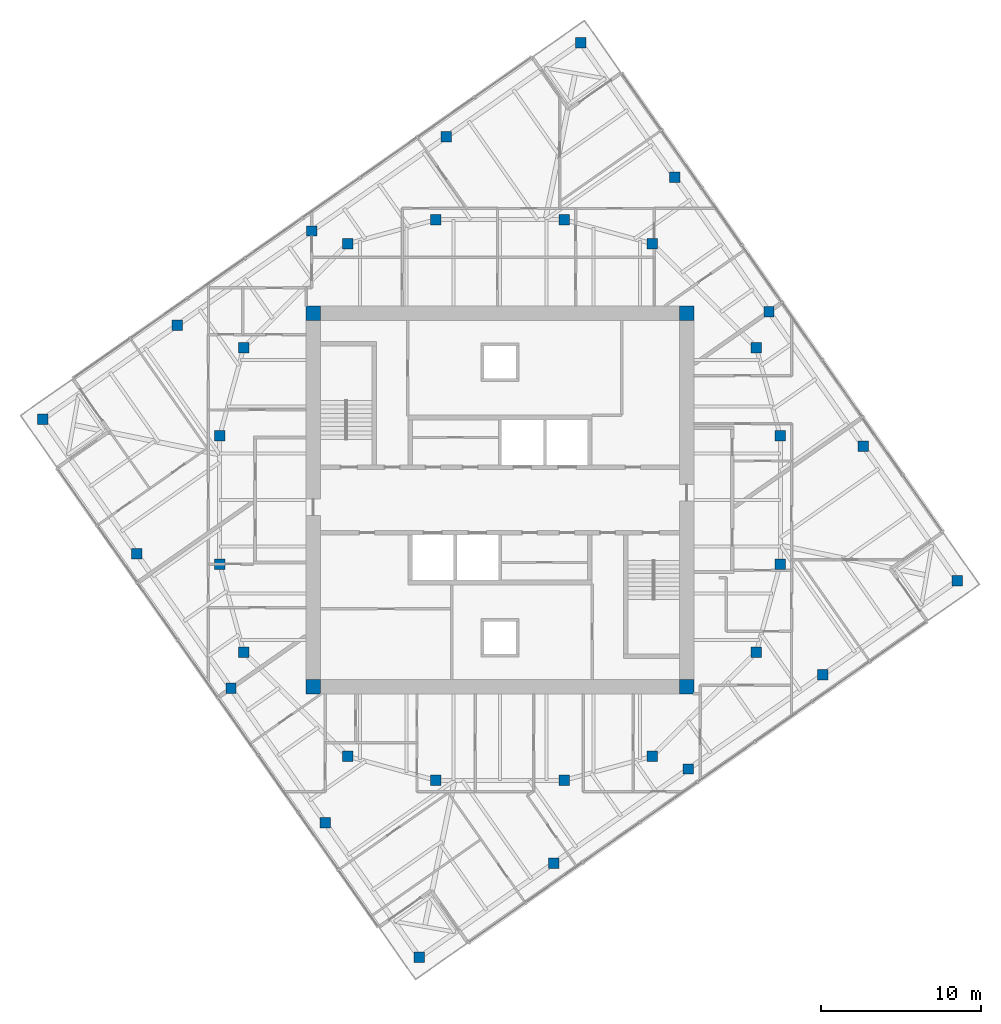
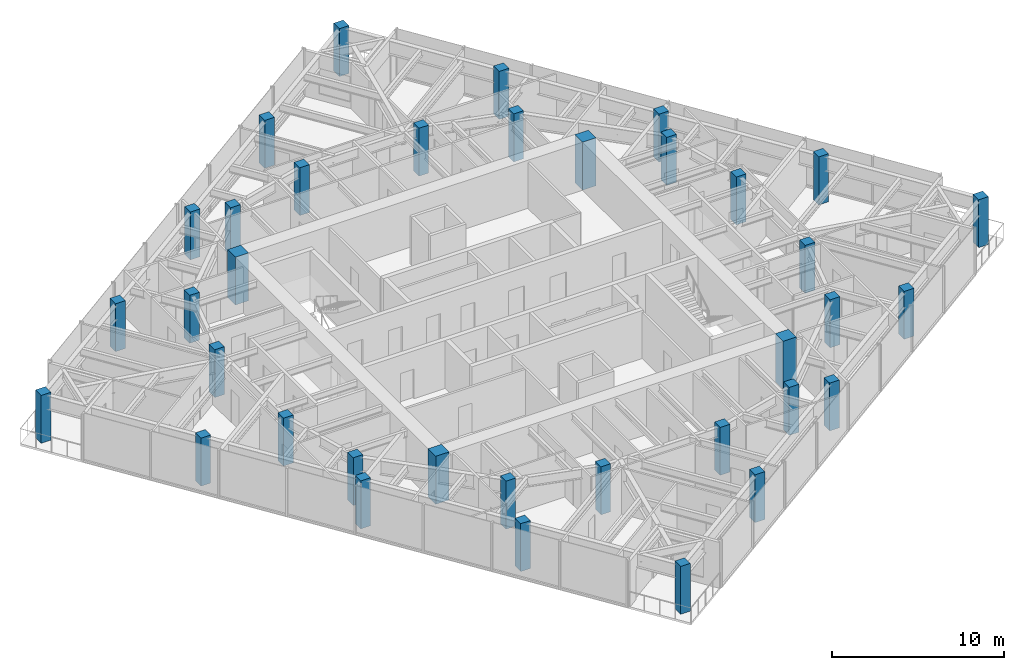
# One storey, part 1 of 13: 36 columns.
"""IFC4 building model written with IfcOpenShell, lengths in metres."""

from ifc_helpers import new_model, si_unit, direction, frame, origin, origin_2d, place, context, subcontext, project, spatial, rectangle, extrude, material, material_profile, profile_set, type_object, element, save


model = new_model("IFC4")

# Units and contexts
model_context = context("Model", 3, precision=1e-05, world=origin(), true_north=direction((0.0, 1.0)))
body_context = subcontext(model_context, "Body", "Model", "MODEL_VIEW")
ifc_project = project(units=[si_unit("LENGTHUNIT", "METRE"), si_unit("AREAUNIT", "SQUARE_METRE"), si_unit("VOLUMEUNIT", "CUBIC_METRE"), si_unit("PLANEANGLEUNIT", "RADIAN"), si_unit("MASSUNIT", "GRAM", prefix="KILO")], contexts=[model_context])

# Site, building, storey
site_placement = place(None, origin())
site = spatial("IfcSite", under=ifc_project, at=site_placement, CompositionType="ELEMENT")
building_placement = place(site_placement, origin())
building = spatial("IfcBuilding", under=site, at=building_placement, Name="Torsade Residences", CompositionType="ELEMENT")
storey_placement = place(building_placement, frame((0.0, 0.0, 260.800048828125)))
storey = spatial("IfcBuildingStorey", under=building, at=storey_placement, Name="L72", CompositionType="ELEMENT", Elevation=260.800048828125)

# Columns
ifc_material_1 = material(Name="Concrete 80 MPa", Category="concrete")
ifc_material_profile_1 = material_profile(ifc_material_1, rectangle(XDim=0.89990234375, YDim=0.89990234375, at=origin_2d()), Name="RC 900x900")
ifc_profile_set_1 = profile_set([ifc_material_profile_1], Name="Concrete 80 MPa")
column_type_1 = type_object("IfcColumnType", Name="CORE CORNER COLUMN RC 900x900", PredefinedType="COLUMN", material=ifc_profile_set_1)
for number, where, z_axis, x_axis, name in (
    (1, (28.35009765625, 18.35009765625, 0.0), (0.0, 0.0, 1.0), (1.0, 0.0, 0.0), "Core corner column CC1 L72"),
    (2, (51.64990234375, 18.35009765625, 0.0), (0.0, 0.0, 1.0), (1.0, 0.0, 0.0), "Core corner column CC2 L72"),
    (3, (51.64990234375, 41.64990234375, 0.0), (0.0, 0.0, 1.0), (1.0, 0.0, 0.0), "Core corner column CC3 L72"),
    (4, (28.35009765625, 41.64990234375, 0.0), (0.0, 0.0, 1.0), (1.0, 0.0, 0.0), "Core corner column CC4 L72"),
):
    element("IfcColumn", number, at=place(storey_placement, frame(where, z_axis=z_axis, x_axis=x_axis)), inside=storey, type_object=column_type_1, Name=name, PredefinedType="COLUMN", context=body_context, shape_type="SweptSolid", body=[
        extrude(rectangle(XDim=0.89990234375, YDim=0.89990234375, at=origin_2d()), origin(), (0.0, 0.0, 1.0), 3.39990234375),
    ])
ifc_material_2 = material(Name="Concrete 80 MPa", Category="concrete")
ifc_material_profile_2 = material_profile(ifc_material_2, rectangle(XDim=0.64990234375, YDim=0.64990234375, at=origin_2d()), Name="RC 650x650")
ifc_profile_set_2 = profile_set([ifc_material_profile_2], Name="Concrete 80 MPa")
column_type_2 = type_object("IfcColumnType", Name="INNER RING COLUMN RC 650x650", PredefinedType="COLUMN", material=ifc_profile_set_2)
for number, where, z_axis, x_axis, name in (
    (5, (57.5, 26.0, 0.0), (0.0, 0.0, 1.0), (1.0, 0.0, 0.0), "Inner ring column IR01 L72"),
    (6, (57.5, 34.0, 0.0), (0.0, 0.0, 1.0), (1.0, 0.0, 0.0), "Inner ring column IR02 L72"),
    (7, (56.0, 39.5, 0.0), (0.0, 0.0, 1.0), (1.0, 0.0, 0.0), "Inner ring column IR03 L72"),
    (8, (49.5, 46.0, 0.0), (0.0, 0.0, 1.0), (1.0, 0.0, 0.0), "Inner ring column IR04 L72"),
    (9, (44.0, 47.5, 0.0), (0.0, 0.0, 1.0), (1.0, 0.0, 0.0), "Inner ring column IR05 L72"),
    (10, (36.0, 47.5, 0.0), (0.0, 0.0, 1.0), (1.0, 0.0, 0.0), "Inner ring column IR06 L72"),
    (11, (30.5, 46.0, 0.0), (0.0, 0.0, 1.0), (1.0, 0.0, 0.0), "Inner ring column IR07 L72"),
    (12, (24.0, 39.5, 0.0), (0.0, 0.0, 1.0), (1.0, 0.0, 0.0), "Inner ring column IR08 L72"),
    (13, (22.5, 34.0, 0.0), (0.0, 0.0, 1.0), (1.0, 0.0, 0.0), "Inner ring column IR09 L72"),
    (14, (22.5, 26.0, 0.0), (0.0, 0.0, 1.0), (1.0, 0.0, 0.0), "Inner ring column IR10 L72"),
    (15, (24.0, 20.5, 0.0), (0.0, 0.0, 1.0), (1.0, 0.0, 0.0), "Inner ring column IR11 L72"),
    (16, (30.5, 14.0, 0.0), (0.0, 0.0, 1.0), (1.0, 0.0, 0.0), "Inner ring column IR12 L72"),
    (17, (36.0, 12.5, 0.0), (0.0, 0.0, 1.0), (1.0, 0.0, 0.0), "Inner ring column IR13 L72"),
    (18, (44.0, 12.5, 0.0), (0.0, 0.0, 1.0), (1.0, 0.0, 0.0), "Inner ring column IR14 L72"),
    (19, (49.5, 14.0, 0.0), (0.0, 0.0, 1.0), (1.0, 0.0, 0.0), "Inner ring column IR15 L72"),
    (20, (56.0, 20.5, 0.0), (0.0, 0.0, 1.0), (1.0, 0.0, 0.0), "Inner ring column IR16 L72"),
):
    element("IfcColumn", number, at=place(storey_placement, frame(where, z_axis=z_axis, x_axis=x_axis)), inside=storey, type_object=column_type_2, Name=name, PredefinedType="COLUMN", context=body_context, shape_type="SweptSolid", body=[
        extrude(rectangle(XDim=0.64990234375, YDim=0.64990234375, at=origin_2d()), origin(), (0.0, 0.0, 1.0), 3.39990234375),
    ])
ifc_material_3 = material(Name="Concrete 80 MPa", Category="concrete")
ifc_material_profile_3 = material_profile(ifc_material_3, rectangle(XDim=0.64990234375, YDim=0.64990234375, at=origin_2d()), Name="RC 650x650")
ifc_profile_set_3 = profile_set([ifc_material_profile_3], Name="Concrete 80 MPa")
column_type_3 = type_object("IfcColumnType", Name="TOWER COLUMN RC 650x650", PredefinedType="COLUMN", material=ifc_profile_set_3)
for number, where, z_axis, x_axis, name in (
    (21, (34.9658203125, 1.448974609375, 0.0), (0.0, 0.0, 1.0), (1.0, 0.0, 0.0), "Column TC8-01 L72"),
    (22, (43.362060546875, 7.328125, 0.0), (0.0, 0.0, 1.0), (1.0, 0.0, 0.0), "Column TC8-02 L72"),
    (23, (51.75830078125, 13.207275390625, 0.0), (0.0, 0.0, 1.0), (1.0, 0.0, 0.0), "Column TC8-03 L72"),
    (24, (60.154541015625, 19.08642578125, 0.0), (0.0, 0.0, 1.0), (1.0, 0.0, 0.0), "Column TC8-04 L72"),
    (25, (68.551025390625, 24.9658203125, 0.0), (0.0, 0.0, 1.0), (1.0, 0.0, 0.0), "Column TC8-05 L72"),
    (26, (62.671875, 33.362060546875, 0.0), (0.0, 0.0, 1.0), (1.0, 0.0, 0.0), "Column TC8-06 L72"),
    (27, (56.792724609375, 41.75830078125, 0.0), (0.0, 0.0, 1.0), (1.0, 0.0, 0.0), "Column TC8-07 L72"),
    (28, (50.91357421875, 50.154541015625, 0.0), (0.0, 0.0, 1.0), (1.0, 0.0, 0.0), "Column TC8-08 L72"),
    (29, (45.0341796875, 58.551025390625, 0.0), (0.0, 0.0, 1.0), (1.0, 0.0, 0.0), "Column TC8-09 L72"),
    (30, (36.637939453125, 52.671875, 0.0), (0.0, 0.0, 1.0), (1.0, 0.0, 0.0), "Column TC8-10 L72"),
    (31, (28.24169921875, 46.792724609375, 0.0), (0.0, 0.0, 1.0), (1.0, 0.0, 0.0), "Column TC8-11 L72"),
    (32, (19.845458984375, 40.91357421875, 0.0), (0.0, 0.0, 1.0), (1.0, 0.0, 0.0), "Column TC8-12 L72"),
    (33, (11.448974609375, 35.0341796875, 0.0), (0.0, 0.0, 1.0), (1.0, 0.0, 0.0), "Column TC8-13 L72"),
    (34, (17.328125, 26.637939453125, 0.0), (0.0, 0.0, 1.0), (1.0, 0.0, 0.0), "Column TC8-14 L72"),
    (35, (23.207275390625, 18.24169921875, 0.0), (0.0, 0.0, 1.0), (1.0, 0.0, 0.0), "Column TC8-15 L72"),
    (36, (29.08642578125, 9.845458984375, 0.0), (0.0, 0.0, 1.0), (1.0, 0.0, 0.0), "Column TC8-16 L72"),
):
    element("IfcColumn", number, at=place(storey_placement, frame(where, z_axis=z_axis, x_axis=x_axis)), inside=storey, type_object=column_type_3, Name=name, PredefinedType="COLUMN", context=body_context, shape_type="SweptSolid", body=[
        extrude(rectangle(XDim=0.64990234375, YDim=0.64990234375, at=origin_2d()), origin(), (0.0, 0.0, 1.0), 3.39990234375),
    ])

save(model, "model.ifc")
